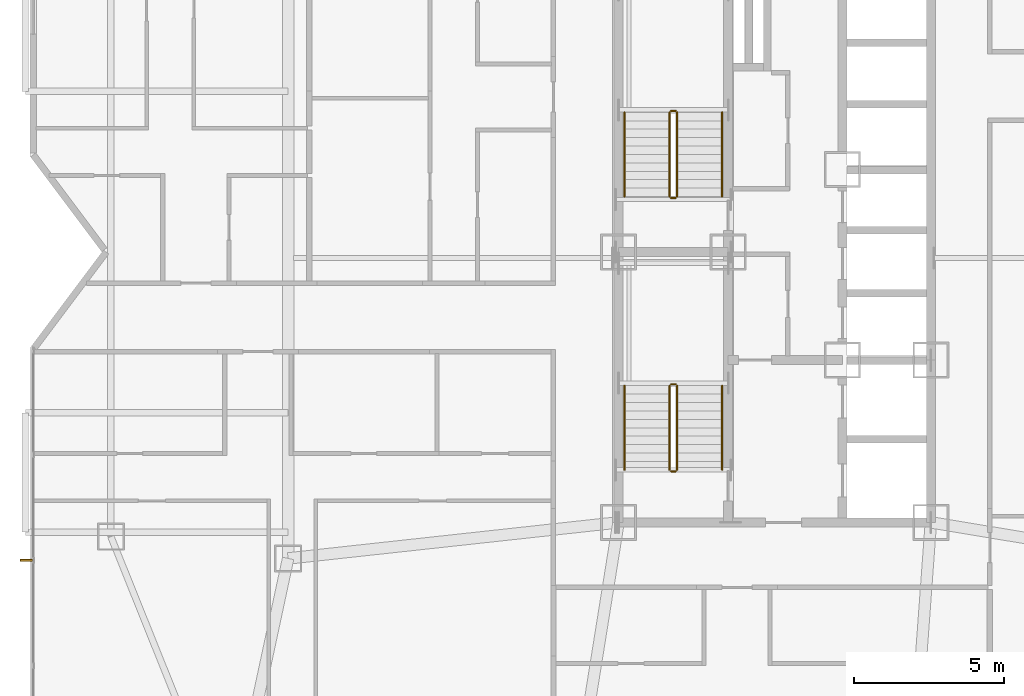
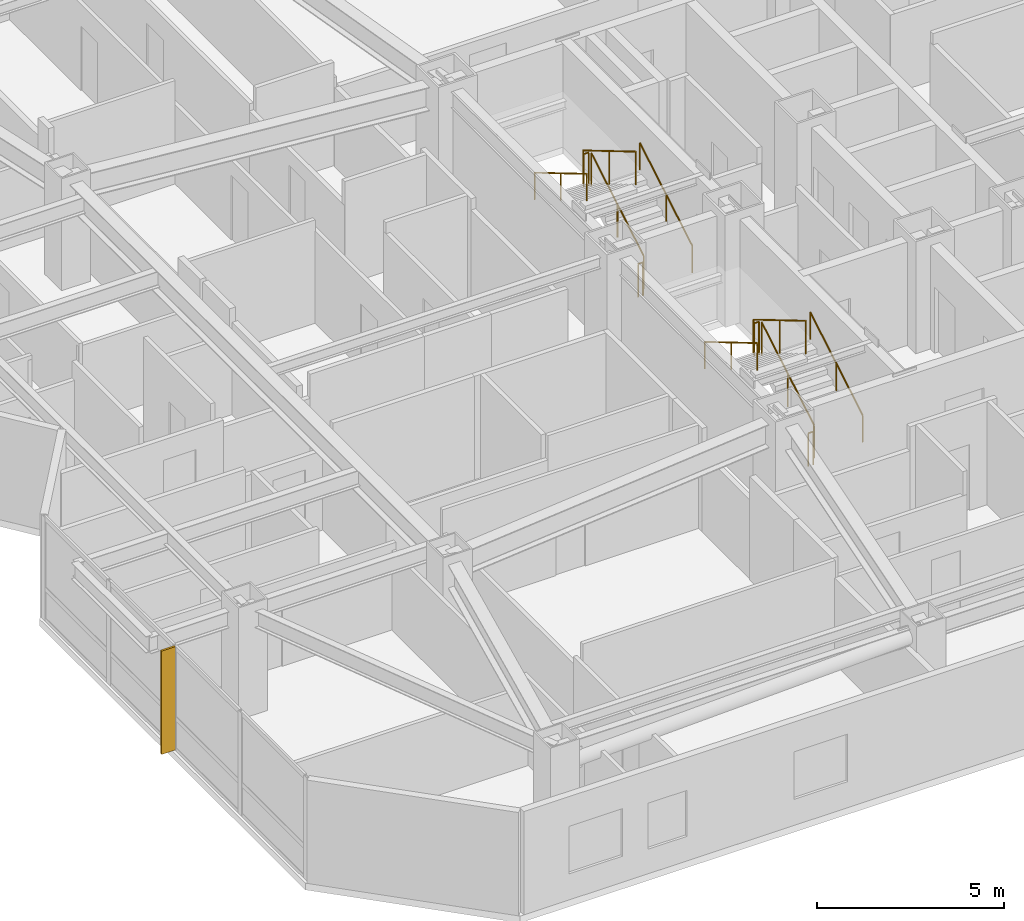
# One storey, part 17 of 17: 12 railings, 1 shading device.
"""IFC4 building model written with IfcOpenShell, lengths in metres."""

from ifc_helpers import new_model, si_unit, direction, frame, origin, origin_2d, place, context, subcontext, project, spatial, rectangle, circle, extrude, material, type_object, element, save


model = new_model("IFC4")

# Units and contexts
model_context = context("Model", 3, precision=1e-05, world=origin(), true_north=direction((0.0, 1.0)))
body_context = subcontext(model_context, "Body", "Model", "MODEL_VIEW")
ifc_project = project(units=[si_unit("LENGTHUNIT", "METRE"), si_unit("AREAUNIT", "SQUARE_METRE"), si_unit("VOLUMEUNIT", "CUBIC_METRE"), si_unit("PLANEANGLEUNIT", "RADIAN"), si_unit("MASSUNIT", "GRAM", prefix="KILO")], contexts=[model_context])

# Site, building, storey
site_placement = place(None, origin())
site = spatial("IfcSite", under=ifc_project, at=site_placement, CompositionType="ELEMENT")
building_placement = place(site_placement, origin())
building = spatial("IfcBuilding", under=site, at=building_placement, Name="Khamvora Tower", CompositionType="ELEMENT")
storey_placement = place(building_placement, frame((0.0, 0.0, 142.050048828125)))
storey = spatial("IfcBuildingStorey", under=building, at=storey_placement, Name="L36", CompositionType="ELEMENT", Elevation=142.050048828125)

# Railings
ifc_material_1 = material(Name="Brushed Stainless Steel 316", Category="steel")
railing_type_1 = type_object("IfcRailingType", Name="RAL-HDR-920", PredefinedType="HANDRAIL", material=ifc_material_1)
railing_1_placement = place(storey_placement, frame((32.449951171875, 20.75, 0.165771484375)))
element("IfcRailing", 1, at=railing_1_placement, inside=storey, type_object=railing_type_1, Name="L36 ST-01 stair handrail 1", PredefinedType="HANDRAIL", context=body_context, shape_type="SweptSolid", body=[
    extrude(circle(Radius=0.02392578125, at=origin_2d()), frame((0.0, 0.0, 0.8759765625), z_axis=(0.0, 0.860306154799, 0.50977771628), x_axis=(-1.0, 0.0, 0.0)), (0.0, 0.0, 1.0), 3.254638671875),
    extrude(circle(Radius=0.02099609375, at=origin_2d()), origin(), (0.0, 0.0, 1.0), 0.851806640625),
    extrude(circle(Radius=0.02099609375, at=origin_2d()), frame((0.0, 1.39990234375, 0.82958984375)), (0.0, 0.0, 1.0), 0.851806640625),
    extrude(circle(Radius=0.02099609375, at=origin_2d()), frame((0.0, 2.800048828125, 1.6591796875)), (0.0, 0.0, 1.0), 0.851806640625),
])
railing_2_placement = place(storey_placement, frame((29.199951171875, 23.550048828125, 1.990966796875)))
element("IfcRailing", 2, at=railing_2_placement, inside=storey, type_object=railing_type_1, Name="L36 ST-01 stair handrail 2", PredefinedType="HANDRAIL", context=body_context, shape_type="SweptSolid", body=[
    extrude(circle(Radius=0.02392578125, at=origin_2d()), frame((0.0, 0.0, 0.8759765625), z_axis=(0.0, -0.860339051648, 0.50972219513), x_axis=(1.0, 0.0, 0.0)), (0.0, 0.0, 1.0), 3.254638671875),
    extrude(circle(Radius=0.02099609375, at=origin_2d()), origin(), (0.0, 0.0, 1.0), 0.851806640625),
    extrude(circle(Radius=0.02099609375, at=origin_2d()), frame((0.0, -1.39990234375, 0.82958984375)), (0.0, 0.0, 1.0), 0.851806640625),
    extrude(circle(Radius=0.02099609375, at=origin_2d()), frame((0.0, -2.800048828125, 1.658935546875)), (0.0, 0.0, 1.0), 0.851806640625),
])
railing_3_placement = place(storey_placement, frame((32.449951171875, 29.85009765625, 0.165771484375)))
element("IfcRailing", 3, at=railing_3_placement, inside=storey, type_object=railing_type_1, Name="L36 ST-02 stair handrail 1", PredefinedType="HANDRAIL", context=body_context, shape_type="SweptSolid", body=[
    extrude(circle(Radius=0.02392578125, at=origin_2d()), frame((0.0, 0.0, 0.8759765625), z_axis=(0.0, 0.860286659441, 0.509810615413), x_axis=(-1.0, 0.0, 0.0)), (0.0, 0.0, 1.0), 3.25439453125),
    extrude(circle(Radius=0.02099609375, at=origin_2d()), origin(), (0.0, 0.0, 1.0), 0.851806640625),
    extrude(circle(Radius=0.02099609375, at=origin_2d()), frame((0.0, 1.39990234375, 0.82958984375)), (0.0, 0.0, 1.0), 0.851806640625),
    extrude(circle(Radius=0.02099609375, at=origin_2d()), frame((0.0, 2.7998046875, 1.6591796875)), (0.0, 0.0, 1.0), 0.851806640625),
])
railing_4_placement = place(storey_placement, frame((29.199951171875, 32.64990234375, 1.990966796875)))
element("IfcRailing", 4, at=railing_4_placement, inside=storey, type_object=railing_type_1, Name="L36 ST-02 stair handrail 2", PredefinedType="HANDRAIL", context=body_context, shape_type="SweptSolid", body=[
    extrude(circle(Radius=0.02392578125, at=origin_2d()), frame((0.0, 0.0, 0.8759765625), z_axis=(0.0, -0.860319559791, 0.509755093197), x_axis=(1.0, 0.0, 0.0)), (0.0, 0.0, 1.0), 3.25439453125),
    extrude(circle(Radius=0.02099609375, at=origin_2d()), origin(), (0.0, 0.0, 1.0), 0.851806640625),
    extrude(circle(Radius=0.02099609375, at=origin_2d()), frame((0.0, -1.39990234375, 0.82958984375)), (0.0, 0.0, 1.0), 0.851806640625),
    extrude(circle(Radius=0.02099609375, at=origin_2d()), frame((0.0, -2.7998046875, 1.658935546875)), (0.0, 0.0, 1.0), 0.851806640625),
])
ifc_material_2 = material(Name="Stainless Steel 316", Category="steel")
railing_type_2 = type_object("IfcRailingType", Name="RAL-STG-1100", PredefinedType="GUARDRAIL", material=ifc_material_2)
railing_5_placement = place(storey_placement, frame((30.949951171875, 20.75, 0.165771484375)))
element("IfcRailing", 5, at=railing_5_placement, inside=storey, type_object=railing_type_2, Name="L36 ST-01 stair guard 1", PredefinedType="GUARDRAIL", context=body_context, shape_type="SweptSolid", body=[
    extrude(circle(Radius=0.02392578125, at=origin_2d()), frame((0.0, 0.0, 1.076171875), z_axis=(0.0, 0.860306154799, 0.50977771628), x_axis=(-1.0, 0.0, 0.0)), (0.0, 0.0, 1.0), 3.254638671875),
    extrude(circle(Radius=0.02099609375, at=origin_2d()), origin(), (0.0, 0.0, 1.0), 1.052001953125),
    extrude(circle(Radius=0.02099609375, at=origin_2d()), frame((0.0, 1.39990234375, 0.82958984375)), (0.0, 0.0, 1.0), 1.052001953125),
    extrude(circle(Radius=0.02099609375, at=origin_2d()), frame((0.0, 2.800048828125, 1.6591796875)), (0.0, 0.0, 1.0), 1.052001953125),
])
railing_6_placement = place(storey_placement, frame((30.89990234375, 23.60009765625, 1.824951171875)))
element("IfcRailing", 6, at=railing_6_placement, inside=storey, type_object=railing_type_2, Name="L36 ST-01 stair guard 2", PredefinedType="GUARDRAIL", context=body_context, shape_type="SweptSolid", body=[
    extrude(circle(Radius=0.02392578125, at=origin_2d()), frame((0.0, 0.0, 1.076171875), z_axis=(-1.0, 0.0, 0.0), x_axis=(0.0, -1.0, 0.0)), (0.0, 0.0, 1.0), 0.14990234375),
    extrude(circle(Radius=0.02099609375, at=origin_2d()), origin(), (0.0, 0.0, 1.0), 1.052001953125),
    extrude(circle(Radius=0.02099609375, at=origin_2d()), frame((-0.14990234375, 0.0, 0.0)), (0.0, 0.0, 1.0), 1.052001953125),
])
railing_7_placement = place(storey_placement, frame((30.699951171875, 23.550048828125, 1.990966796875)))
element("IfcRailing", 7, at=railing_7_placement, inside=storey, type_object=railing_type_2, Name="L36 ST-01 stair guard 3", PredefinedType="GUARDRAIL", context=body_context, shape_type="SweptSolid", body=[
    extrude(circle(Radius=0.02392578125, at=origin_2d()), frame((0.0, 0.0, 1.076171875), z_axis=(0.0, -0.860339051648, 0.50972219513), x_axis=(1.0, 0.0, 0.0)), (0.0, 0.0, 1.0), 3.254638671875),
    extrude(circle(Radius=0.02099609375, at=origin_2d()), origin(), (0.0, 0.0, 1.0), 1.052001953125),
    extrude(circle(Radius=0.02099609375, at=origin_2d()), frame((0.0, -1.39990234375, 0.82958984375)), (0.0, 0.0, 1.0), 1.052001953125),
    extrude(circle(Radius=0.02099609375, at=origin_2d()), frame((0.0, -2.800048828125, 1.658935546875)), (0.0, 0.0, 1.0), 1.052001953125),
])
railing_8_placement = place(storey_placement, frame((30.89990234375, 20.699951171875, 0.0)))
element("IfcRailing", 8, at=railing_8_placement, inside=storey, type_object=railing_type_2, Name="L36 ST-01 stair guard 4", PredefinedType="GUARDRAIL", context=body_context, shape_type="SweptSolid", body=[
    extrude(circle(Radius=0.02392578125, at=origin_2d()), frame((0.0, 0.0, 1.076171875), z_axis=(-1.0, 0.0, 0.0), x_axis=(0.0, -1.0, 0.0)), (0.0, 0.0, 1.0), 0.14990234375),
    extrude(circle(Radius=0.02099609375, at=origin_2d()), origin(), (0.0, 0.0, 1.0), 1.052001953125),
    extrude(circle(Radius=0.02099609375, at=origin_2d()), frame((-0.14990234375, 0.0, 0.0)), (0.0, 0.0, 1.0), 1.052001953125),
])
railing_9_placement = place(storey_placement, frame((30.949951171875, 29.85009765625, 0.165771484375)))
element("IfcRailing", 9, at=railing_9_placement, inside=storey, type_object=railing_type_2, Name="L36 ST-02 stair guard 1", PredefinedType="GUARDRAIL", context=body_context, shape_type="SweptSolid", body=[
    extrude(circle(Radius=0.02392578125, at=origin_2d()), frame((0.0, 0.0, 1.076171875), z_axis=(0.0, 0.860286659441, 0.509810615413), x_axis=(-1.0, 0.0, 0.0)), (0.0, 0.0, 1.0), 3.25439453125),
    extrude(circle(Radius=0.02099609375, at=origin_2d()), origin(), (0.0, 0.0, 1.0), 1.052001953125),
    extrude(circle(Radius=0.02099609375, at=origin_2d()), frame((0.0, 1.39990234375, 0.82958984375)), (0.0, 0.0, 1.0), 1.052001953125),
    extrude(circle(Radius=0.02099609375, at=origin_2d()), frame((0.0, 2.7998046875, 1.6591796875)), (0.0, 0.0, 1.0), 1.052001953125),
])
railing_10_placement = place(storey_placement, frame((30.89990234375, 32.699951171875, 1.824951171875)))
element("IfcRailing", 10, at=railing_10_placement, inside=storey, type_object=railing_type_2, Name="L36 ST-02 stair guard 2", PredefinedType="GUARDRAIL", context=body_context, shape_type="SweptSolid", body=[
    extrude(circle(Radius=0.02392578125, at=origin_2d()), frame((0.0, 0.0, 1.076171875), z_axis=(-1.0, 0.0, 0.0), x_axis=(0.0, -1.0, 0.0)), (0.0, 0.0, 1.0), 0.14990234375),
    extrude(circle(Radius=0.02099609375, at=origin_2d()), origin(), (0.0, 0.0, 1.0), 1.052001953125),
    extrude(circle(Radius=0.02099609375, at=origin_2d()), frame((-0.14990234375, 0.0, 0.0)), (0.0, 0.0, 1.0), 1.052001953125),
])
railing_11_placement = place(storey_placement, frame((30.699951171875, 32.64990234375, 1.990966796875)))
element("IfcRailing", 11, at=railing_11_placement, inside=storey, type_object=railing_type_2, Name="L36 ST-02 stair guard 3", PredefinedType="GUARDRAIL", context=body_context, shape_type="SweptSolid", body=[
    extrude(circle(Radius=0.02392578125, at=origin_2d()), frame((0.0, 0.0, 1.076171875), z_axis=(0.0, -0.860319559791, 0.509755093197), x_axis=(1.0, 0.0, 0.0)), (0.0, 0.0, 1.0), 3.25439453125),
    extrude(circle(Radius=0.02099609375, at=origin_2d()), origin(), (0.0, 0.0, 1.0), 1.052001953125),
    extrude(circle(Radius=0.02099609375, at=origin_2d()), frame((0.0, -1.39990234375, 0.82958984375)), (0.0, 0.0, 1.0), 1.052001953125),
    extrude(circle(Radius=0.02099609375, at=origin_2d()), frame((0.0, -2.7998046875, 1.658935546875)), (0.0, 0.0, 1.0), 1.052001953125),
])
railing_12_placement = place(storey_placement, frame((30.89990234375, 29.800048828125, 0.0)))
element("IfcRailing", 12, at=railing_12_placement, inside=storey, type_object=railing_type_2, Name="L36 ST-02 stair guard 4", PredefinedType="GUARDRAIL", context=body_context, shape_type="SweptSolid", body=[
    extrude(circle(Radius=0.02392578125, at=origin_2d()), frame((0.0, 0.0, 1.076171875), z_axis=(-1.0, 0.0, 0.0), x_axis=(0.0, -1.0, 0.0)), (0.0, 0.0, 1.0), 0.14990234375),
    extrude(circle(Radius=0.02099609375, at=origin_2d()), origin(), (0.0, 0.0, 1.0), 1.052001953125),
    extrude(circle(Radius=0.02099609375, at=origin_2d()), frame((-0.14990234375, 0.0, 0.0)), (0.0, 0.0, 1.0), 1.052001953125),
])

# Shading device
ifc_material_3 = material(Name="Anodised Bronze Aluminium 6063-T6", Category="aluminium")
shading_device_type = type_object("IfcShadingDeviceType", Name="SHD-FIN-420", PredefinedType="USERDEFINED", material=ifc_material_3)
shading_device_placement = place(storey_placement, frame((9.282958984375, 17.739990234375, 0.0), z_axis=(0.0, 0.0, 1.0), x_axis=(0.0, 1.0, 0.0)))
element("IfcShadingDevice", 13, at=shading_device_placement, inside=storey, type_object=shading_device_type, Name="L36 anodised bronze solar fin 02.01", ObjectType="FIN", PredefinedType="USERDEFINED", context=body_context, shape_type="SweptSolid", body=[
    extrude(rectangle(XDim=0.06005859375, YDim=0.419921875, at=origin_2d()), origin(), (0.0, 0.0, 1.0), 3.3701171875),
])

save(model, "model.ifc")
